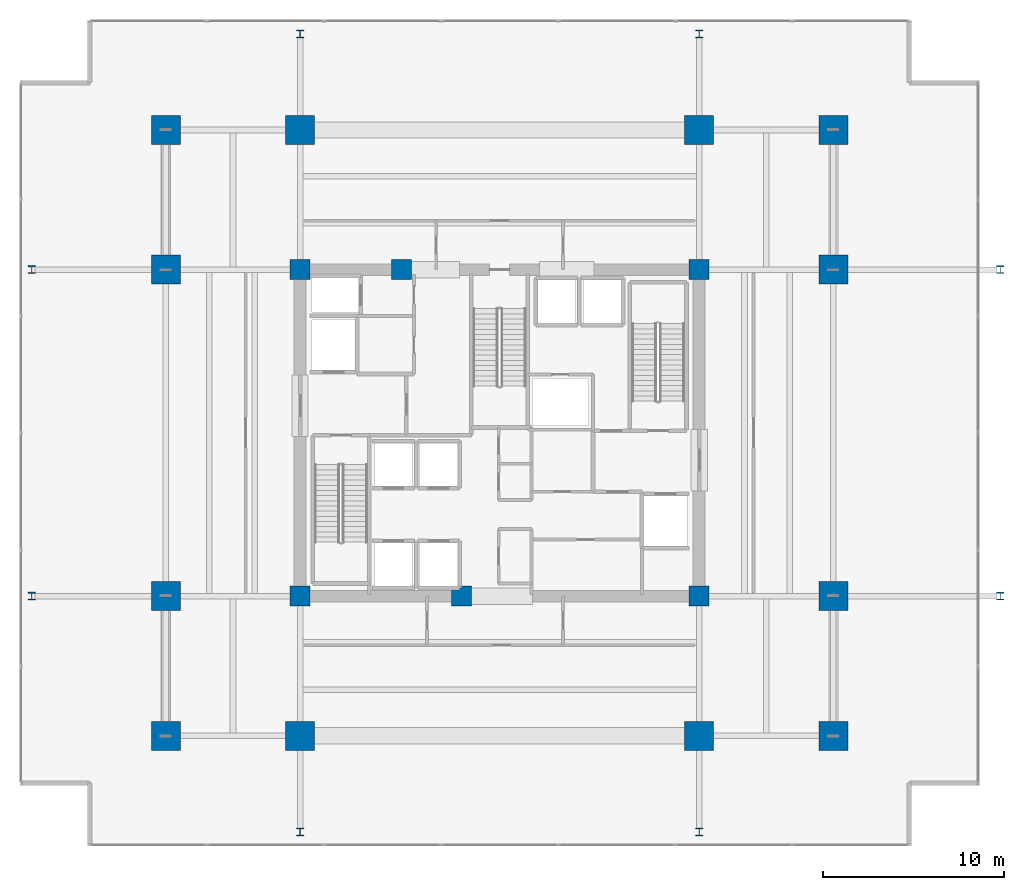
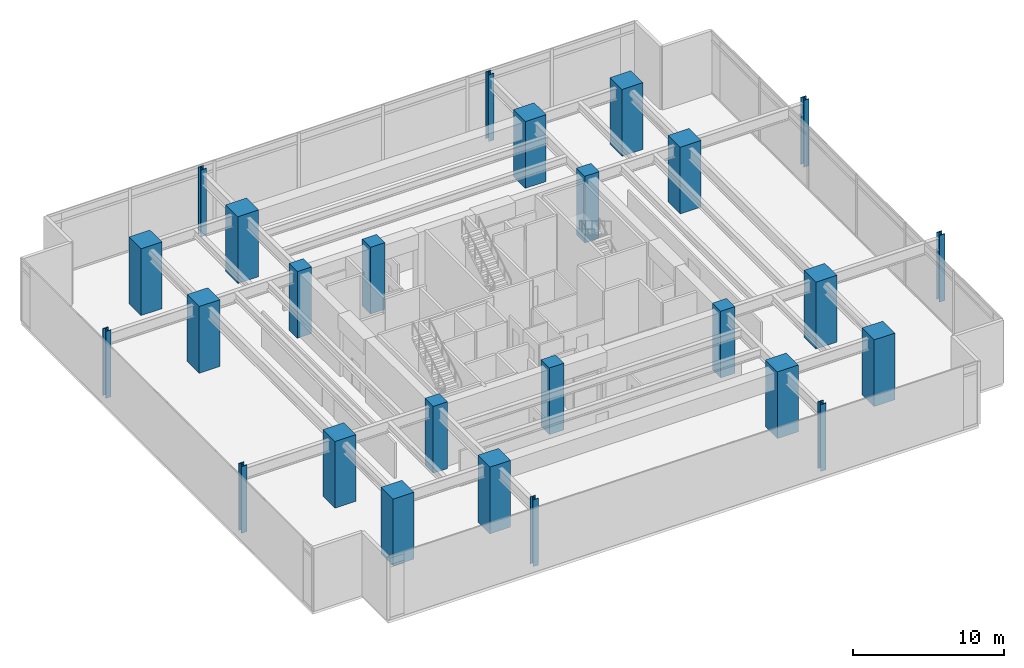
# One storey, part 1 of 23: 26 columns.
"""IFC4 building model written with IfcOpenShell, lengths in metres."""

from ifc_helpers import new_model, si_unit, direction, frame, origin, origin_2d, place, context, subcontext, project, spatial, rectangle, i_section, extrude, material, material_profile, profile_set, type_object, element, save


model = new_model("IFC4")

# Units and contexts
model_context = context("Model", 3, precision=1e-05, world=origin(), true_north=direction((0.0, 1.0)))
body_context = subcontext(model_context, "Body", "Model", "MODEL_VIEW")
ifc_project = project(units=[si_unit("LENGTHUNIT", "METRE"), si_unit("AREAUNIT", "SQUARE_METRE"), si_unit("VOLUMEUNIT", "CUBIC_METRE"), si_unit("PLANEANGLEUNIT", "RADIAN"), si_unit("MASSUNIT", "GRAM", prefix="KILO")], contexts=[model_context])

# Site, building, storey
site_placement = place(None, origin())
site = spatial("IfcSite", under=ifc_project, at=site_placement, CompositionType="ELEMENT")
building_placement = place(site_placement, origin())
building = spatial("IfcBuilding", under=site, at=building_placement, Name="Kovane Verandah Tower", CompositionType="ELEMENT")
storey_placement = place(building_placement, frame((0.0, 0.0, 107.60009765625)))
storey = spatial("IfcBuildingStorey", under=building, at=storey_placement, Name="L25", CompositionType="ELEMENT", Elevation=107.60009765625)

# Columns
ifc_material_1 = material(Name="Concrete C80/95", Category="concrete")
ifc_material_profile_1 = material_profile(ifc_material_1, rectangle(XDim=1.60009765625, YDim=1.60009765625, at=origin_2d()), Name="RC1600x1600")
ifc_profile_set_1 = profile_set([ifc_material_profile_1], Name="Concrete C80/95")
column_type_1 = type_object("IfcColumnType", Name="COL-RC1600", PredefinedType="COLUMN", material=ifc_profile_set_1)
for number, where, z_axis, x_axis, name in (
    (1, (29.0, 10.800048828125, 0.0), (0.0, 0.0, 1.0), (1.0, 0.0, 0.0), "L25 Tower Mega-Column MC-S1"),
    (2, (51.0, 10.800048828125, 0.0), (0.0, 0.0, 1.0), (1.0, 0.0, 0.0), "L25 Tower Mega-Column MC-S2"),
    (3, (29.0, 44.199951171875, 0.0), (0.0, 0.0, 1.0), (1.0, 0.0, 0.0), "L25 Tower Mega-Column MC-N1"),
    (4, (51.0, 44.199951171875, 0.0), (0.0, 0.0, 1.0), (1.0, 0.0, 0.0), "L25 Tower Mega-Column MC-N2"),
    (5, (21.60009765625, 18.5, 0.0), (0.0, 0.0, 1.0), (1.0, 0.0, 0.0), "L25 Tower Mega-Column MC-W1"),
    (6, (21.60009765625, 36.5, 0.0), (0.0, 0.0, 1.0), (1.0, 0.0, 0.0), "L25 Tower Mega-Column MC-W2"),
    (7, (58.39990234375, 18.5, 0.0), (0.0, 0.0, 1.0), (1.0, 0.0, 0.0), "L25 Tower Mega-Column MC-E1"),
    (8, (58.39990234375, 36.5, 0.0), (0.0, 0.0, 1.0), (1.0, 0.0, 0.0), "L25 Tower Mega-Column MC-E2"),
    (9, (21.60009765625, 10.800048828125, 0.0), (0.0, 0.0, 1.0), (1.0, 0.0, 0.0), "L25 Tower Mega-Column MC-SW"),
    (10, (58.39990234375, 10.800048828125, 0.0), (0.0, 0.0, 1.0), (1.0, 0.0, 0.0), "L25 Tower Mega-Column MC-SE"),
    (11, (21.60009765625, 44.199951171875, 0.0), (0.0, 0.0, 1.0), (1.0, 0.0, 0.0), "L25 Tower Mega-Column MC-NW"),
    (12, (58.39990234375, 44.199951171875, 0.0), (0.0, 0.0, 1.0), (1.0, 0.0, 0.0), "L25 Tower Mega-Column MC-NE"),
):
    element("IfcColumn", number, at=place(storey_placement, frame(where, z_axis=z_axis, x_axis=x_axis)), inside=storey, type_object=column_type_1, Name=name, PredefinedType="COLUMN", context=body_context, shape_type="SweptSolid", body=[
        extrude(rectangle(XDim=1.60009765625, YDim=1.60009765625, at=origin_2d()), origin(), (0.0, 0.0, 1.0), 5.39990234375),
    ])
ifc_material_2 = material(Name="Steel S460", Category="steel")
ifc_material_profile_2 = material_profile(ifc_material_2, i_section(OverallWidth=0.412109375, OverallDepth=0.4365234375, WebThickness=0.035888671875, FlangeThickness=0.05810546875, FilletRadius=0.01513671875, at=origin_2d()), Name="UC356x406x467")
ifc_profile_set_2 = profile_set([ifc_material_profile_2], Name="Steel S460")
column_type_2 = type_object("IfcColumnType", Name="COL-UC467", PredefinedType="COLUMN", material=ifc_profile_set_2)
for number, where, z_axis, x_axis, name in (
    (13, (14.199951171875, 18.5, 0.0), (0.0, 0.0, 1.0), (1.0, 0.0, 0.0), "L25 Verandah Perimeter Column VC-W1"),
    (14, (14.199951171875, 36.5, 0.0), (0.0, 0.0, 1.0), (1.0, 0.0, 0.0), "L25 Verandah Perimeter Column VC-W2"),
    (15, (67.60009765625, 18.5, 0.0), (0.0, 0.0, 1.0), (1.0, 0.0, 0.0), "L25 Verandah Perimeter Column VC-E1"),
    (16, (67.60009765625, 36.5, 0.0), (0.0, 0.0, 1.0), (1.0, 0.0, 0.0), "L25 Verandah Perimeter Column VC-E2"),
    (17, (29.0, 5.5, 0.0), (0.0, 0.0, 1.0), (1.0, 0.0, 0.0), "L25 Verandah Perimeter Column VC-S1"),
    (18, (51.0, 5.5, 0.0), (0.0, 0.0, 1.0), (1.0, 0.0, 0.0), "L25 Verandah Perimeter Column VC-S2"),
    (19, (29.0, 49.5, 0.0), (0.0, 0.0, 1.0), (1.0, 0.0, 0.0), "L25 Verandah Perimeter Column VC-N1"),
    (20, (51.0, 49.5, 0.0), (0.0, 0.0, 1.0), (1.0, 0.0, 0.0), "L25 Verandah Perimeter Column VC-N2"),
):
    element("IfcColumn", number, at=place(storey_placement, frame(where, z_axis=z_axis, x_axis=x_axis)), inside=storey, type_object=column_type_2, Name=name, PredefinedType="COLUMN", context=body_context, shape_type="SweptSolid", body=[
        extrude(i_section(OverallWidth=0.412109375, OverallDepth=0.4365234375, WebThickness=0.035888671875, FlangeThickness=0.05810546875, FilletRadius=0.01513671875, at=origin_2d()), origin(), (0.0, 0.0, 1.0), 5.39990234375),
    ])
ifc_material_profile_3 = material_profile(ifc_material_1, rectangle(XDim=1.10009765625, YDim=1.10009765625, at=origin_2d()), Name="RC1100x1100")
ifc_profile_set_3 = profile_set([ifc_material_profile_3], Name="Concrete C80/95")
column_type_3 = type_object("IfcColumnType", Name="PIL-RC1100", PredefinedType="PILASTER", material=ifc_profile_set_3)
for number, where, z_axis, x_axis, name in (
    (21, (29.0, 18.5, 0.0), (0.0, 0.0, 1.0), (1.0, 0.0, 0.0), "L25 Core Pilaster CP-SW"),
    (22, (51.0, 18.5, 0.0), (0.0, 0.0, 1.0), (1.0, 0.0, 0.0), "L25 Core Pilaster CP-SE"),
    (23, (29.0, 36.5, 0.0), (0.0, 0.0, 1.0), (1.0, 0.0, 0.0), "L25 Core Pilaster CP-NW"),
    (24, (51.0, 36.5, 0.0), (0.0, 0.0, 1.0), (1.0, 0.0, 0.0), "L25 Core Pilaster CP-NE"),
    (25, (37.89990234375, 18.5, 0.0), (0.0, 0.0, 1.0), (1.0, 0.0, 0.0), "L25 Core Pilaster CP-S"),
    (26, (34.60009765625, 36.5, 0.0), (0.0, 0.0, 1.0), (1.0, 0.0, 0.0), "L25 Core Pilaster CP-N"),
):
    element("IfcColumn", number, at=place(storey_placement, frame(where, z_axis=z_axis, x_axis=x_axis)), inside=storey, type_object=column_type_3, Name=name, PredefinedType="PILASTER", context=body_context, shape_type="SweptSolid", body=[
        extrude(rectangle(XDim=1.10009765625, YDim=1.10009765625, at=origin_2d()), origin(), (0.0, 0.0, 1.0), 5.39990234375),
    ])

save(model, "model.ifc")
